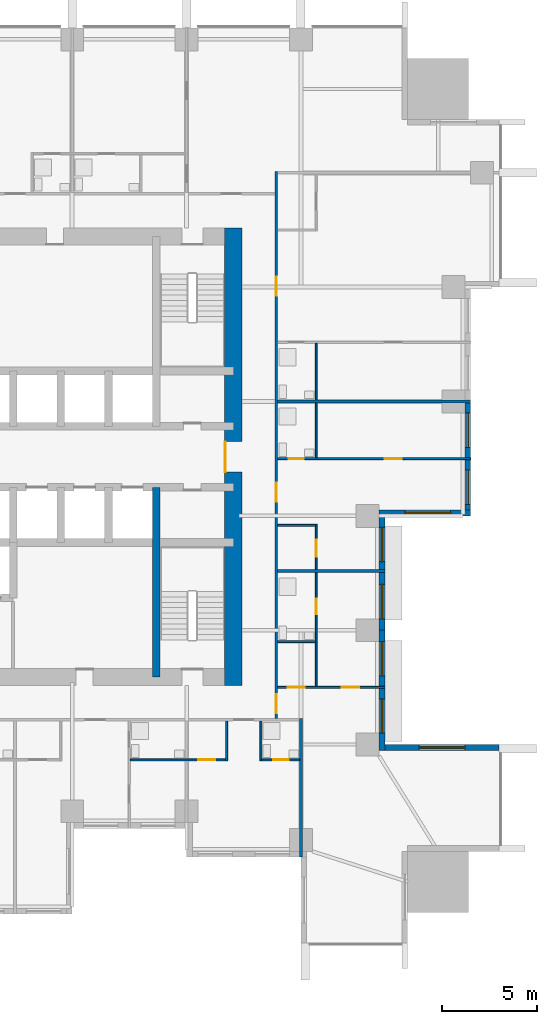
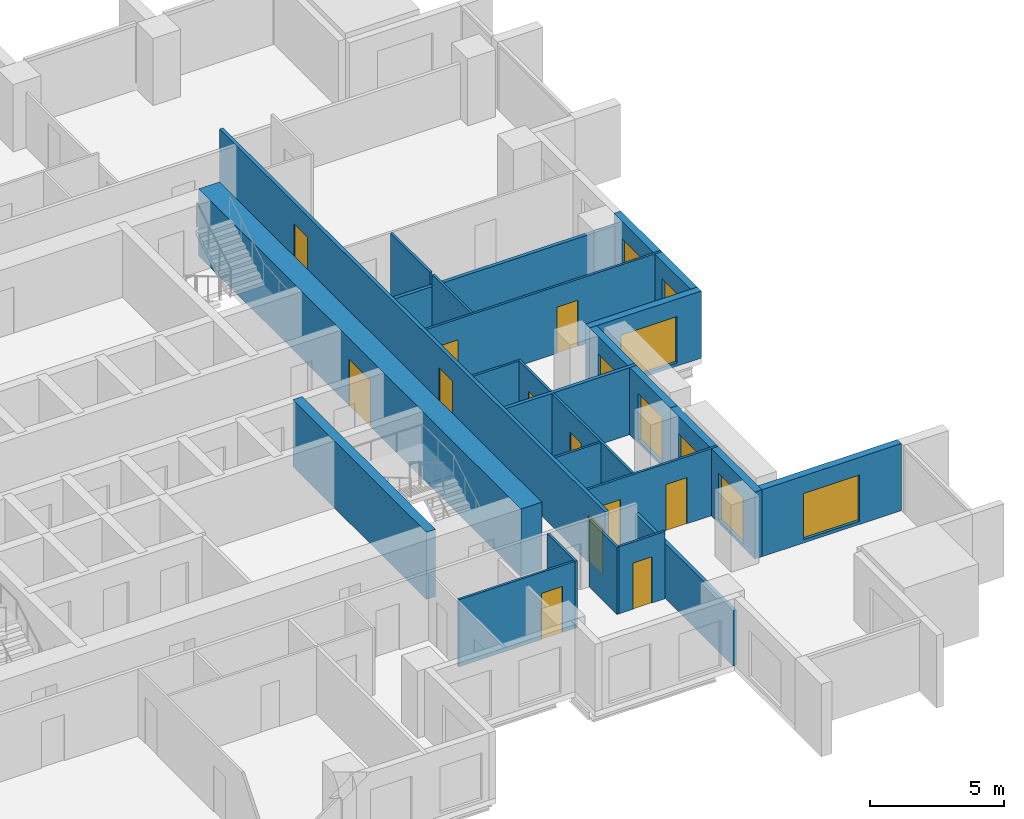
# One storey, part 6 of 10: 22 walls, 12 doors, 8 windows, 20 openings.
"""IFC4 building model written with IfcOpenShell, lengths in metres."""

from ifc_helpers import new_model, si_unit, direction, frame, frame_2d, origin, place, context, subcontext, project, spatial, rectangle, extrude, material, layer, layer_set, type_object, element, fill, save


model = new_model("IFC4")

# Units and contexts
model_context = context("Model", 3, precision=1e-05, world=origin(), true_north=direction((0.0, 1.0)))
body_context = subcontext(model_context, "Body", "Model", "MODEL_VIEW")
ifc_project = project(units=[si_unit("LENGTHUNIT", "METRE"), si_unit("AREAUNIT", "SQUARE_METRE"), si_unit("VOLUMEUNIT", "CUBIC_METRE"), si_unit("PLANEANGLEUNIT", "RADIAN"), si_unit("MASSUNIT", "GRAM", prefix="KILO")], contexts=[model_context])

# Site, building, storey
site_placement = place(None, origin())
site = spatial("IfcSite", under=ifc_project, at=site_placement, CompositionType="ELEMENT")
building_placement = place(site_placement, origin())
building = spatial("IfcBuilding", under=site, at=building_placement, Name="Amberfall Residences", CompositionType="ELEMENT")
storey_placement = place(building_placement, frame((0.0, 0.0, 26.800048828125)))
storey = spatial("IfcBuildingStorey", under=building, at=storey_placement, Name="L06", CompositionType="ELEMENT", Elevation=26.800048828125)

# Wall, opening, window
ifc_material_1 = material(Name="Pale stone cladding on insulated backing", Category="masonry")
ifc_layer_1 = layer(ifc_material_1, 0.300048828125)
ifc_layer_set_1 = layer_set([ifc_layer_1], Name="Bronze clad wall 300")
wall_type_1 = type_object("IfcWallType", Name="Bronze clad wall 300", PredefinedType="SOLIDWALL", material=ifc_layer_set_1)
wall_1_placement = place(storey_placement, frame((100.0, 30.25, 0.0), z_axis=(0.0, 0.0, 1.0), x_axis=(-1.0, 0.0, 0.0)))
wall_1 = element("IfcWall", 1, at=wall_1_placement, inside=storey, type_object=wall_type_1, Name="External wall L06 E", PredefinedType="SOLIDWALL", context=body_context, shape_type="SweptSolid", body=[
    extrude(rectangle(XDim=6.0, YDim=0.300048828125, at=frame_2d((3.0, 0.0))), origin(), (0.0, 0.0, 1.0), 3.050048828125),
])
opening_1_placement = place(wall_1_placement, frame((1.800048828125, 0.0, 0.14990234375)))
opening_1 = element("IfcOpeningElement", 2, at=opening_1_placement, cuts=wall_1, Name="Opening WN5", PredefinedType="OPENING", context=body_context, shape_type="SweptSolid", body=[
    extrude(rectangle(XDim=2.39990234375, YDim=2.10009765625, at=frame_2d((1.199951171875, 1.050048828125))), frame((0.0, 0.159912109375, 0.0), z_axis=(0.0, -1.0, 0.0), x_axis=(1.0, 0.0, 0.0)), (0.0, 0.0, 1.0), 0.320068359375),
])
ifc_material_2 = material(Name="Bronze aluminium framed glazing", Category="aluminium")
window_type_1 = type_object("IfcWindowType", Name="Glazed opening 2400 x 2100 bronze", PartitioningType="DOUBLE_PANEL_VERTICAL", PredefinedType="WINDOW", material=ifc_material_2)
window_1_placement = place(opening_1_placement, origin())
window_1 = element("IfcWindow", 3, at=window_1_placement, inside=storey, type_object=window_type_1, Name="Window L06 E", OverallHeight=2.10009765625, OverallWidth=2.39990234375, PartitioningType="DOUBLE_PANEL_VERTICAL", PredefinedType="WINDOW", context=body_context, shape_type="SweptSolid", body=[
    extrude(rectangle(XDim=2.39990234375, YDim=2.10009765625, at=frame_2d((1.199951171875, 1.050048828125))), frame((0.0, 0.030029296875, 0.0), z_axis=(0.0, -1.0, 0.0), x_axis=(1.0, 0.0, 0.0)), (0.0, 0.0, 1.0), 0.06005859375),
])
fill(opening_1, window_1)

wall_2_placement = place(storey_placement, frame((93.699951171875, 42.550048828125, 0.0), z_axis=(0.0, 0.0, 1.0), x_axis=(1.0, 0.0, 0.0)))
wall_2 = element("IfcWall", 4, at=wall_2_placement, inside=storey, type_object=wall_type_1, Name="External wall L06 E", PredefinedType="SOLIDWALL", context=body_context, shape_type="SweptSolid", body=[
    extrude(rectangle(XDim=4.800048828125, YDim=0.300048828125, at=frame_2d((2.39990234375, 0.0))), origin(), (0.0, 0.0, 1.0), 3.050048828125),
])
opening_2_placement = place(wall_2_placement, frame((1.35009765625, 0.0, 0.14990234375)))
opening_2 = element("IfcOpeningElement", 5, at=opening_2_placement, cuts=wall_2, Name="Opening WN5", PredefinedType="OPENING", context=body_context, shape_type="SweptSolid", body=[
    extrude(rectangle(XDim=2.39990234375, YDim=2.10009765625, at=frame_2d((1.199951171875, 1.050048828125))), frame((0.0, 0.159912109375, 0.0), z_axis=(0.0, -1.0, 0.0), x_axis=(1.0, 0.0, 0.0)), (0.0, 0.0, 1.0), 0.320068359375),
])
window_2_placement = place(opening_2_placement, origin())
window_2 = element("IfcWindow", 6, at=window_2_placement, inside=storey, type_object=window_type_1, Name="Window L06 E", OverallHeight=2.10009765625, OverallWidth=2.39990234375, PartitioningType="DOUBLE_PANEL_VERTICAL", PredefinedType="WINDOW", context=body_context, shape_type="SweptSolid", body=[
    extrude(rectangle(XDim=2.39990234375, YDim=2.10009765625, at=frame_2d((1.199951171875, 1.050048828125))), frame((0.0, 0.030029296875, 0.0), z_axis=(0.0, -1.0, 0.0), x_axis=(1.0, 0.0, 0.0)), (0.0, 0.0, 1.0), 0.06005859375),
])
fill(opening_2, window_2)

# Wall, openings, windows
wall_3_placement = place(storey_placement, frame((93.85009765625, 30.10009765625, 0.0), z_axis=(0.0, 0.0, 1.0), x_axis=(0.0, 1.0, 0.0)))
wall_3 = element("IfcWall", 7, at=wall_3_placement, inside=storey, type_object=wall_type_1, Name="Stone wall L06 E", PredefinedType="SOLIDWALL", context=body_context, shape_type="SweptSolid", body=[
    extrude(rectangle(XDim=6.2998046875, YDim=0.300048828125, at=frame_2d((3.14990234375, 0.0))), origin(), (0.0, 0.0, 1.0), 3.050048828125),
])
opening_3_placement = place(wall_3_placement, frame((0.89990234375, 0.0, 0.14990234375)))
opening_3 = element("IfcOpeningElement", 8, at=opening_3_placement, cuts=wall_3, Name="Opening WN6", PredefinedType="OPENING", context=body_context, shape_type="SweptSolid", body=[
    extrude(rectangle(XDim=1.800048828125, YDim=2.10009765625, at=frame_2d((0.89990234375, 1.050048828125))), frame((0.0, 0.159912109375, 0.0), z_axis=(0.0, -1.0, 0.0), x_axis=(1.0, 0.0, 0.0)), (0.0, 0.0, 1.0), 0.320068359375),
])
opening_4_placement = place(wall_3_placement, frame((3.89990234375, 0.0, 0.14990234375)))
opening_4 = element("IfcOpeningElement", 9, at=opening_4_placement, cuts=wall_3, Name="Opening WN6", PredefinedType="OPENING", context=body_context, shape_type="SweptSolid", body=[
    extrude(rectangle(XDim=1.800048828125, YDim=2.10009765625, at=frame_2d((0.89990234375, 1.050048828125))), frame((0.0, 0.159912109375, 0.0), z_axis=(0.0, -1.0, 0.0), x_axis=(1.0, 0.0, 0.0)), (0.0, 0.0, 1.0), 0.320068359375),
])
window_type_2 = type_object("IfcWindowType", Name="Glazed opening 1800 x 2100 bronze", PartitioningType="DOUBLE_PANEL_VERTICAL", PredefinedType="WINDOW", material=ifc_material_2)
window_3_placement = place(opening_3_placement, origin())
window_3 = element("IfcWindow", 10, at=window_3_placement, inside=storey, type_object=window_type_2, Name="Window L06 E", OverallHeight=2.10009765625, OverallWidth=1.800048828125, PartitioningType="DOUBLE_PANEL_VERTICAL", PredefinedType="WINDOW", context=body_context, shape_type="SweptSolid", body=[
    extrude(rectangle(XDim=1.800048828125, YDim=2.10009765625, at=frame_2d((0.89990234375, 1.050048828125))), frame((0.0, 0.030029296875, 0.0), z_axis=(0.0, -1.0, 0.0), x_axis=(1.0, 0.0, 0.0)), (0.0, 0.0, 1.0), 0.06005859375),
])
fill(opening_3, window_3)
window_4_placement = place(opening_4_placement, origin())
window_4 = element("IfcWindow", 11, at=window_4_placement, inside=storey, type_object=window_type_2, Name="Window L06 E", OverallHeight=2.10009765625, OverallWidth=1.800048828125, PartitioningType="DOUBLE_PANEL_VERTICAL", PredefinedType="WINDOW", context=body_context, shape_type="SweptSolid", body=[
    extrude(rectangle(XDim=1.800048828125, YDim=2.10009765625, at=frame_2d((0.89990234375, 1.050048828125))), frame((0.0, 0.030029296875, 0.0), z_axis=(0.0, -1.0, 0.0), x_axis=(1.0, 0.0, 0.0)), (0.0, 0.0, 1.0), 0.06005859375),
])
fill(opening_4, window_4)

wall_4_placement = place(storey_placement, frame((93.85009765625, 36.39990234375, 0.0), z_axis=(0.0, 0.0, 1.0), x_axis=(0.0, 1.0, 0.0)))
wall_4 = element("IfcWall", 12, at=wall_4_placement, inside=storey, type_object=wall_type_1, Name="Stone wall L06 E", PredefinedType="SOLIDWALL", context=body_context, shape_type="SweptSolid", body=[
    extrude(rectangle(XDim=6.0, YDim=0.300048828125, at=frame_2d((3.0, 0.0))), origin(), (0.0, 0.0, 1.0), 3.050048828125),
])
opening_5_placement = place(wall_4_placement, frame((0.60009765625, 0.0, 0.14990234375)))
opening_5 = element("IfcOpeningElement", 13, at=opening_5_placement, cuts=wall_4, Name="Opening WN6", PredefinedType="OPENING", context=body_context, shape_type="SweptSolid", body=[
    extrude(rectangle(XDim=1.800048828125, YDim=2.10009765625, at=frame_2d((0.89990234375, 1.050048828125))), frame((0.0, 0.159912109375, 0.0), z_axis=(0.0, -1.0, 0.0), x_axis=(1.0, 0.0, 0.0)), (0.0, 0.0, 1.0), 0.320068359375),
])
opening_6_placement = place(wall_4_placement, frame((3.60009765625, 0.0, 0.14990234375)))
opening_6 = element("IfcOpeningElement", 14, at=opening_6_placement, cuts=wall_4, Name="Opening WN6", PredefinedType="OPENING", context=body_context, shape_type="SweptSolid", body=[
    extrude(rectangle(XDim=1.800048828125, YDim=2.10009765625, at=frame_2d((0.89990234375, 1.050048828125))), frame((0.0, 0.159912109375, 0.0), z_axis=(0.0, -1.0, 0.0), x_axis=(1.0, 0.0, 0.0)), (0.0, 0.0, 1.0), 0.320068359375),
])
window_5_placement = place(opening_5_placement, origin())
window_5 = element("IfcWindow", 15, at=window_5_placement, inside=storey, type_object=window_type_2, Name="Window L06 E", OverallHeight=2.10009765625, OverallWidth=1.800048828125, PartitioningType="DOUBLE_PANEL_VERTICAL", PredefinedType="WINDOW", context=body_context, shape_type="SweptSolid", body=[
    extrude(rectangle(XDim=1.800048828125, YDim=2.10009765625, at=frame_2d((0.89990234375, 1.050048828125))), frame((0.0, 0.030029296875, 0.0), z_axis=(0.0, -1.0, 0.0), x_axis=(1.0, 0.0, 0.0)), (0.0, 0.0, 1.0), 0.06005859375),
])
fill(opening_5, window_5)
window_6_placement = place(opening_6_placement, origin())
window_6 = element("IfcWindow", 16, at=window_6_placement, inside=storey, type_object=window_type_2, Name="Window L06 E", OverallHeight=2.10009765625, OverallWidth=1.800048828125, PartitioningType="DOUBLE_PANEL_VERTICAL", PredefinedType="WINDOW", context=body_context, shape_type="SweptSolid", body=[
    extrude(rectangle(XDim=1.800048828125, YDim=2.10009765625, at=frame_2d((0.89990234375, 1.050048828125))), frame((0.0, 0.030029296875, 0.0), z_axis=(0.0, -1.0, 0.0), x_axis=(1.0, 0.0, 0.0)), (0.0, 0.0, 1.0), 0.06005859375),
])
fill(opening_6, window_6)

wall_5_placement = place(storey_placement, frame((98.35009765625, 42.699951171875, 0.0), z_axis=(0.0, 0.0, 1.0), x_axis=(0.0, 1.0, 0.0)))
wall_5 = element("IfcWall", 17, at=wall_5_placement, inside=storey, type_object=wall_type_1, Name="Stone wall L06 E", PredefinedType="SOLIDWALL", context=body_context, shape_type="SweptSolid", body=[
    extrude(rectangle(XDim=5.699951171875, YDim=0.300048828125, at=frame_2d((2.85009765625, 0.0))), origin(), (0.0, 0.0, 1.0), 3.050048828125),
])
opening_7_placement = place(wall_5_placement, frame((0.300048828125, 0.0, 0.14990234375)))
opening_7 = element("IfcOpeningElement", 18, at=opening_7_placement, cuts=wall_5, Name="Opening WN6", PredefinedType="OPENING", context=body_context, shape_type="SweptSolid", body=[
    extrude(rectangle(XDim=1.800048828125, YDim=2.10009765625, at=frame_2d((0.89990234375, 1.050048828125))), frame((0.0, 0.159912109375, 0.0), z_axis=(0.0, -1.0, 0.0), x_axis=(1.0, 0.0, 0.0)), (0.0, 0.0, 1.0), 0.320068359375),
])
opening_8_placement = place(wall_5_placement, frame((3.300048828125, 0.0, 0.14990234375)))
opening_8 = element("IfcOpeningElement", 19, at=opening_8_placement, cuts=wall_5, Name="Opening WN6", PredefinedType="OPENING", context=body_context, shape_type="SweptSolid", body=[
    extrude(rectangle(XDim=1.800048828125, YDim=2.10009765625, at=frame_2d((0.89990234375, 1.050048828125))), frame((0.0, 0.159912109375, 0.0), z_axis=(0.0, -1.0, 0.0), x_axis=(1.0, 0.0, 0.0)), (0.0, 0.0, 1.0), 0.320068359375),
])
window_7_placement = place(opening_7_placement, origin())
window_7 = element("IfcWindow", 20, at=window_7_placement, inside=storey, type_object=window_type_2, Name="Window L06 E", OverallHeight=2.10009765625, OverallWidth=1.800048828125, PartitioningType="DOUBLE_PANEL_VERTICAL", PredefinedType="WINDOW", context=body_context, shape_type="SweptSolid", body=[
    extrude(rectangle(XDim=1.800048828125, YDim=2.10009765625, at=frame_2d((0.89990234375, 1.050048828125))), frame((0.0, 0.030029296875, 0.0), z_axis=(0.0, -1.0, 0.0), x_axis=(1.0, 0.0, 0.0)), (0.0, 0.0, 1.0), 0.06005859375),
])
fill(opening_7, window_7)
window_8_placement = place(opening_8_placement, origin())
window_8 = element("IfcWindow", 21, at=window_8_placement, inside=storey, type_object=window_type_2, Name="Window L06 E", OverallHeight=2.10009765625, OverallWidth=1.800048828125, PartitioningType="DOUBLE_PANEL_VERTICAL", PredefinedType="WINDOW", context=body_context, shape_type="SweptSolid", body=[
    extrude(rectangle(XDim=1.800048828125, YDim=2.10009765625, at=frame_2d((0.89990234375, 1.050048828125))), frame((0.0, 0.030029296875, 0.0), z_axis=(0.0, -1.0, 0.0), x_axis=(1.0, 0.0, 0.0)), (0.0, 0.0, 1.0), 0.06005859375),
])
fill(opening_8, window_8)

# Wall
ifc_material_3 = material(Name="Concrete C80", Category="concrete")
ifc_layer_2 = layer(ifc_material_3, 0.39990234375)
ifc_layer_set_2 = layer_set([ifc_layer_2], Name="Core wall 400 C80")
wall_type_2 = type_object("IfcWallType", Name="Core wall 400 C80", PredefinedType="SHEAR", material=ifc_layer_set_2)
wall_6_placement = place(storey_placement, frame((82.0, 33.949951171875, 0.0), z_axis=(0.0, 0.0, 1.0), x_axis=(0.0, 1.0, 0.0)))
element("IfcWall", 22, at=wall_6_placement, inside=storey, type_object=wall_type_2, Name="Core wall RW2 L06 V195S", PredefinedType="SHEAR", context=body_context, shape_type="SweptSolid", body=[
    extrude(rectangle(XDim=9.949951171875, YDim=0.39990234375, at=frame_2d((4.97509765625, 0.0))), origin(), (0.0, 0.0, 1.0), 3.050048828125),
])

# Wall, opening, door
ifc_layer_3 = layer(ifc_material_3, 0.89990234375)
ifc_layer_set_3 = layer_set([ifc_layer_3], Name="Core wall 900 C80")
wall_type_3 = type_object("IfcWallType", Name="Core wall 900 C80", PredefinedType="SHEAR", material=ifc_layer_set_3)
wall_7_placement = place(storey_placement, frame((86.050048828125, 33.5, 0.0), z_axis=(0.0, 0.0, 1.0), x_axis=(0.0, 1.0, 0.0)))
wall_7 = element("IfcWall", 23, at=wall_7_placement, inside=storey, type_object=wall_type_3, Name="Core wall RW1 L06 OE", PredefinedType="SHEAR", context=body_context, shape_type="SweptSolid", body=[
    extrude(rectangle(XDim=24.0, YDim=0.89990234375, at=frame_2d((12.0, 0.0))), origin(), (0.0, 0.0, 1.0), 3.050048828125),
])
opening_9_placement = place(wall_7_placement, frame((11.199951171875, 0.0, 0.0)))
opening_9 = element("IfcOpeningElement", 24, at=opening_9_placement, cuts=wall_7, Name="Opening LB1", PredefinedType="OPENING", context=body_context, shape_type="SweptSolid", body=[
    extrude(rectangle(XDim=1.60009765625, YDim=2.10009765625, at=frame_2d((0.800048828125, 1.050048828125))), frame((0.0, 0.4599609375, 0.0), z_axis=(0.0, -1.0, 0.0), x_axis=(1.0, 0.0, 0.0)), (0.0, 0.0, 1.0), 0.919921875),
])
ifc_material_4 = material(Name="Steel fire door set", Category="steel")
door_type_1 = type_object("IfcDoorType", Name="Lift lobby double door 1600 x 2100", OperationType="DOUBLE_DOOR_SINGLE_SWING", PredefinedType="DOOR", material=ifc_material_4)
door_1_placement = place(opening_9_placement, origin())
door_1 = element("IfcDoor", 25, at=door_1_placement, inside=storey, type_object=door_type_1, Name="LB1 L06", OperationType="DOUBLE_DOOR_SINGLE_SWING", OverallHeight=2.10009765625, OverallWidth=1.60009765625, PredefinedType="DOOR", context=body_context, shape_type="SweptSolid", body=[
    extrude(rectangle(XDim=1.60009765625, YDim=2.10009765625, at=frame_2d((0.800048828125, 1.050048828125))), frame((0.0, 0.4375, 0.0), z_axis=(0.0, -1.0, 0.0), x_axis=(1.0, 0.0, 0.0)), (0.0, 0.0, 1.0), 0.050048828125),
])
fill(opening_9, door_1)

# Walls
ifc_material_5 = material(Name="Gypsum board on metal stud")
ifc_layer_4 = layer(ifc_material_5, 0.10009765625)
ifc_layer_set_4 = layer_set([ifc_layer_4], Name="Flat partition 100")
wall_type_4 = type_object("IfcWallType", Name="Flat partition 100", PredefinedType="PARTITIONING", material=ifc_layer_set_4)
for number, where, z_axis, x_axis, name in (
    (26, (85.699951171875, 29.550048828125, 0.0), (0.0, 0.0, 1.0), (0.0, 1.0, 0.0), "Partition 017"),
    (27, (87.5, 29.550048828125, 0.0), (0.0, 0.0, 1.0), (0.0, 1.0, 0.0), "Partition 018"),
):
    element("IfcWall", number, at=place(storey_placement, frame(where, z_axis=z_axis, x_axis=x_axis)), inside=storey, type_object=wall_type_4, Name=name, PredefinedType="PARTITIONING", context=body_context, shape_type="SweptSolid", body=[
        extrude(rectangle(XDim=2.074951171875, YDim=0.10009765625, at=frame_2d((1.03759765625, 0.0))), origin(), (0.0, 0.0, 1.0), 3.050048828125),
    ])

# Wall, openings, doors
wall_8_placement = place(storey_placement, frame((90.39990234375, 33.449951171875, 0.0), z_axis=(0.0, 0.0, 1.0), x_axis=(0.0, 1.0, 0.0)))
wall_8 = element("IfcWall", 28, at=wall_8_placement, inside=storey, type_object=wall_type_4, Name="Partition 019", PredefinedType="PARTITIONING", context=body_context, shape_type="SweptSolid", body=[
    extrude(rectangle(XDim=8.5, YDim=0.10009765625, at=frame_2d((4.25, 0.0))), origin(), (0.0, 0.0, 1.0), 3.050048828125),
])
opening_10_placement = place(wall_8_placement, frame((3.800048828125, 0.0, 0.0)))
opening_10 = element("IfcOpeningElement", 29, at=opening_10_placement, cuts=wall_8, Name="Opening D42", PredefinedType="OPENING", context=body_context, shape_type="SweptSolid", body=[
    extrude(rectangle(XDim=0.800048828125, YDim=2.10009765625, at=frame_2d((0.39990234375, 1.050048828125))), frame((0.0, 0.06005859375, 0.0), z_axis=(0.0, -1.0, 0.0), x_axis=(1.0, 0.0, 0.0)), (0.0, 0.0, 1.0), 0.1201171875),
])
opening_11_placement = place(wall_8_placement, frame((6.800048828125, 0.0, 0.0)))
opening_11 = element("IfcOpeningElement", 30, at=opening_11_placement, cuts=wall_8, Name="Opening D41", PredefinedType="OPENING", context=body_context, shape_type="SweptSolid", body=[
    extrude(rectangle(XDim=0.89990234375, YDim=2.10009765625, at=frame_2d((0.449951171875, 1.050048828125))), frame((0.0, 0.06005859375, 0.0), z_axis=(0.0, -1.0, 0.0), x_axis=(1.0, 0.0, 0.0)), (0.0, 0.0, 1.0), 0.1201171875),
])
ifc_material_6 = material(Name="Timber", Category="wood")
door_type_2 = type_object("IfcDoorType", Name="Bathroom door 800 x 2100", OperationType="SINGLE_SWING_LEFT", PredefinedType="DOOR", material=ifc_material_6)
door_2_placement = place(opening_10_placement, origin())
door_2 = element("IfcDoor", 31, at=door_2_placement, inside=storey, type_object=door_type_2, Name="Door 0604 bath1", OperationType="SINGLE_SWING_LEFT", OverallHeight=2.10009765625, OverallWidth=0.800048828125, PredefinedType="DOOR", context=body_context, shape_type="SweptSolid", body=[
    extrude(rectangle(XDim=0.800048828125, YDim=2.10009765625, at=frame_2d((0.39990234375, 1.050048828125))), frame((0.0, 0.02490234375, 0.0), z_axis=(0.0, -1.0, 0.0), x_axis=(1.0, 0.0, 0.0)), (0.0, 0.0, 1.0), 0.050048828125),
])
fill(opening_10, door_2)
door_type_3 = type_object("IfcDoorType", Name="Internal door 900 x 2100", OperationType="SINGLE_SWING_LEFT", PredefinedType="DOOR", material=ifc_material_6)
door_3_placement = place(opening_11_placement, origin())
door_3 = element("IfcDoor", 32, at=door_3_placement, inside=storey, type_object=door_type_3, Name="Door 0605 kitchen", OperationType="SINGLE_SWING_LEFT", OverallHeight=2.10009765625, OverallWidth=0.89990234375, PredefinedType="DOOR", context=body_context, shape_type="SweptSolid", body=[
    extrude(rectangle(XDim=0.89990234375, YDim=2.10009765625, at=frame_2d((0.449951171875, 1.050048828125))), frame((0.0, 0.02490234375, 0.0), z_axis=(0.0, -1.0, 0.0), x_axis=(1.0, 0.0, 0.0)), (0.0, 0.0, 1.0), 0.050048828125),
])
fill(opening_11, door_3)

# Walls
wall_9_placement = place(storey_placement, frame((90.39990234375, 45.449951171875, 0.0), z_axis=(0.0, 0.0, 1.0), x_axis=(0.0, 1.0, 0.0)))
element("IfcWall", 33, at=wall_9_placement, inside=storey, type_object=wall_type_4, Name="Partition 020", PredefinedType="PARTITIONING", context=body_context, shape_type="SweptSolid", body=[
    extrude(rectangle(XDim=2.875, YDim=0.10009765625, at=frame_2d((1.4375, 0.0))), origin(), (0.0, 0.0, 1.0), 3.050048828125),
])
wall_10_placement = place(storey_placement, frame((90.39990234375, 48.5, 0.0), z_axis=(0.0, 0.0, 1.0), x_axis=(0.0, 1.0, 0.0)))
element("IfcWall", 34, at=wall_10_placement, inside=storey, type_object=wall_type_4, Name="Partition 021", PredefinedType="PARTITIONING", context=body_context, shape_type="SweptSolid", body=[
    extrude(rectangle(XDim=2.949951171875, YDim=0.10009765625, at=frame_2d((1.47509765625, 0.0))), origin(), (0.0, 0.0, 1.0), 3.050048828125),
])

# Wall, openings, doors
wall_11_placement = place(storey_placement, frame((88.375, 45.39990234375, 0.0), z_axis=(0.0, 0.0, 1.0), x_axis=(1.0, 0.0, 0.0)))
wall_11 = element("IfcWall", 35, at=wall_11_placement, inside=storey, type_object=wall_type_4, Name="Partition 032", PredefinedType="PARTITIONING", context=body_context, shape_type="SweptSolid", body=[
    extrude(rectangle(XDim=10.125, YDim=0.10009765625, at=frame_2d((5.0625, 0.0))), origin(), (0.0, 0.0, 1.0), 3.050048828125),
])
opening_12_placement = place(wall_11_placement, frame((5.625, 0.0, 0.0)))
opening_12 = element("IfcOpeningElement", 36, at=opening_12_placement, cuts=wall_11, Name="Opening D41", PredefinedType="OPENING", context=body_context, shape_type="SweptSolid", body=[
    extrude(rectangle(XDim=0.89990234375, YDim=2.10009765625, at=frame_2d((0.449951171875, 1.050048828125))), frame((0.0, 0.06005859375, 0.0), z_axis=(0.0, -1.0, 0.0), x_axis=(1.0, 0.0, 0.0)), (0.0, 0.0, 1.0), 0.1201171875),
])
opening_13_placement = place(wall_11_placement, frame((0.574951171875, 0.0, 0.0)))
opening_13 = element("IfcOpeningElement", 37, at=opening_13_placement, cuts=wall_11, Name="Opening D42", PredefinedType="OPENING", context=body_context, shape_type="SweptSolid", body=[
    extrude(rectangle(XDim=0.800048828125, YDim=2.10009765625, at=frame_2d((0.39990234375, 1.050048828125))), frame((0.0, 0.06005859375, 0.0), z_axis=(0.0, -1.0, 0.0), x_axis=(1.0, 0.0, 0.0)), (0.0, 0.0, 1.0), 0.1201171875),
])
door_4_placement = place(opening_13_placement, origin())
door_4 = element("IfcDoor", 38, at=door_4_placement, inside=storey, type_object=door_type_2, Name="Door 0605 bath1", OperationType="SINGLE_SWING_LEFT", OverallHeight=2.10009765625, OverallWidth=0.800048828125, PredefinedType="DOOR", context=body_context, shape_type="SweptSolid", body=[
    extrude(rectangle(XDim=0.800048828125, YDim=2.10009765625, at=frame_2d((0.39990234375, 1.050048828125))), frame((0.0, 0.02490234375, 0.0), z_axis=(0.0, -1.0, 0.0), x_axis=(1.0, 0.0, 0.0)), (0.0, 0.0, 1.0), 0.050048828125),
])
fill(opening_13, door_4)
door_5_placement = place(opening_12_placement, origin())
door_5 = element("IfcDoor", 39, at=door_5_placement, inside=storey, type_object=door_type_3, Name="Door 0605 bedroom1", OperationType="SINGLE_SWING_LEFT", OverallHeight=2.10009765625, OverallWidth=0.89990234375, PredefinedType="DOOR", context=body_context, shape_type="SweptSolid", body=[
    extrude(rectangle(XDim=0.89990234375, YDim=2.10009765625, at=frame_2d((0.449951171875, 1.050048828125))), frame((0.0, 0.02490234375, 0.0), z_axis=(0.0, -1.0, 0.0), x_axis=(1.0, 0.0, 0.0)), (0.0, 0.0, 1.0), 0.050048828125),
])
fill(opening_12, door_5)

# Walls
for number, where, z_axis, x_axis, name in (
    (40, (88.375, 41.89990234375, 0.0), (0.0, 0.0, 1.0), (1.0, 0.0, 0.0), "Partition 034"),
    (41, (88.375, 35.800048828125, 0.0), (0.0, 0.0, 1.0), (1.0, 0.0, 0.0), "Partition 037"),
):
    element("IfcWall", number, at=place(storey_placement, frame(where, z_axis=z_axis, x_axis=x_axis)), inside=storey, type_object=wall_type_4, Name=name, PredefinedType="PARTITIONING", context=body_context, shape_type="SweptSolid", body=[
        extrude(rectangle(XDim=1.97509765625, YDim=0.10009765625, at=frame_2d((0.987548828125, 0.0))), origin(), (0.0, 0.0, 1.0), 3.050048828125),
    ])

# Wall, openings, doors
wall_12_placement = place(storey_placement, frame((88.375, 33.39990234375, 0.0), z_axis=(0.0, 0.0, 1.0), x_axis=(1.0, 0.0, 0.0)))
wall_12 = element("IfcWall", 42, at=wall_12_placement, inside=storey, type_object=wall_type_4, Name="Partition 039", PredefinedType="PARTITIONING", context=body_context, shape_type="SweptSolid", body=[
    extrude(rectangle(XDim=5.625, YDim=0.10009765625, at=frame_2d((2.8125, 0.0))), origin(), (0.0, 0.0, 1.0), 3.050048828125),
])
opening_14_placement = place(wall_12_placement, frame((0.52490234375, 0.0, 0.0)))
opening_14 = element("IfcOpeningElement", 43, at=opening_14_placement, cuts=wall_12, Name="Opening D41", PredefinedType="OPENING", context=body_context, shape_type="SweptSolid", body=[
    extrude(rectangle(XDim=0.89990234375, YDim=2.10009765625, at=frame_2d((0.449951171875, 1.050048828125))), frame((0.0, 0.06005859375, 0.0), z_axis=(0.0, -1.0, 0.0), x_axis=(1.0, 0.0, 0.0)), (0.0, 0.0, 1.0), 0.1201171875),
])
opening_15_placement = place(wall_12_placement, frame((3.375, 0.0, 0.0)))
opening_15 = element("IfcOpeningElement", 44, at=opening_15_placement, cuts=wall_12, Name="Opening D41", PredefinedType="OPENING", context=body_context, shape_type="SweptSolid", body=[
    extrude(rectangle(XDim=0.89990234375, YDim=2.10009765625, at=frame_2d((0.449951171875, 1.050048828125))), frame((0.0, 0.06005859375, 0.0), z_axis=(0.0, -1.0, 0.0), x_axis=(1.0, 0.0, 0.0)), (0.0, 0.0, 1.0), 0.1201171875),
])
door_6_placement = place(opening_14_placement, origin())
door_6 = element("IfcDoor", 45, at=door_6_placement, inside=storey, type_object=door_type_3, Name="Door 0604 kitchen", OperationType="SINGLE_SWING_LEFT", OverallHeight=2.10009765625, OverallWidth=0.89990234375, PredefinedType="DOOR", context=body_context, shape_type="SweptSolid", body=[
    extrude(rectangle(XDim=0.89990234375, YDim=2.10009765625, at=frame_2d((0.449951171875, 1.050048828125))), frame((0.0, 0.02490234375, 0.0), z_axis=(0.0, -1.0, 0.0), x_axis=(1.0, 0.0, 0.0)), (0.0, 0.0, 1.0), 0.050048828125),
])
fill(opening_14, door_6)
door_7_placement = place(opening_15_placement, origin())
door_7 = element("IfcDoor", 46, at=door_7_placement, inside=storey, type_object=door_type_3, Name="Door 0604 bedroom1", OperationType="SINGLE_SWING_LEFT", OverallHeight=2.10009765625, OverallWidth=0.89990234375, PredefinedType="DOOR", context=body_context, shape_type="SweptSolid", body=[
    extrude(rectangle(XDim=0.89990234375, YDim=2.10009765625, at=frame_2d((0.449951171875, 1.050048828125))), frame((0.0, 0.02490234375, 0.0), z_axis=(0.0, -1.0, 0.0), x_axis=(1.0, 0.0, 0.0)), (0.0, 0.0, 1.0), 0.050048828125),
])
fill(opening_15, door_7)

# Wall, opening, door
wall_13_placement = place(storey_placement, frame((80.64990234375, 29.60009765625, 0.0), z_axis=(0.0, 0.0, 1.0), x_axis=(1.0, 0.0, 0.0)))
wall_13 = element("IfcWall", 47, at=wall_13_placement, inside=storey, type_object=wall_type_4, Name="Partition 042", PredefinedType="PARTITIONING", context=body_context, shape_type="SweptSolid", body=[
    extrude(rectangle(XDim=5.0, YDim=0.10009765625, at=frame_2d((2.5, 0.0))), origin(), (0.0, 0.0, 1.0), 3.050048828125),
])
opening_16_placement = place(wall_13_placement, frame((3.550048828125, 0.0, 0.0)))
opening_16 = element("IfcOpeningElement", 48, at=opening_16_placement, cuts=wall_13, Name="Opening D41", PredefinedType="OPENING", context=body_context, shape_type="SweptSolid", body=[
    extrude(rectangle(XDim=0.89990234375, YDim=2.10009765625, at=frame_2d((0.449951171875, 1.050048828125))), frame((0.0, 0.06005859375, 0.0), z_axis=(0.0, -1.0, 0.0), x_axis=(1.0, 0.0, 0.0)), (0.0, 0.0, 1.0), 0.1201171875),
])
door_8_placement = place(opening_16_placement, origin())
door_8 = element("IfcDoor", 49, at=door_8_placement, inside=storey, type_object=door_type_3, Name="Door 0603 kitchen", OperationType="SINGLE_SWING_LEFT", OverallHeight=2.10009765625, OverallWidth=0.89990234375, PredefinedType="DOOR", context=body_context, shape_type="SweptSolid", body=[
    extrude(rectangle(XDim=0.89990234375, YDim=2.10009765625, at=frame_2d((0.449951171875, 1.050048828125))), frame((0.0, 0.02490234375, 0.0), z_axis=(0.0, -1.0, 0.0), x_axis=(1.0, 0.0, 0.0)), (0.0, 0.0, 1.0), 0.050048828125),
])
fill(opening_16, door_8)

wall_14_placement = place(storey_placement, frame((87.550048828125, 29.60009765625, 0.0), z_axis=(0.0, 0.0, 1.0), x_axis=(1.0, 0.0, 0.0)))
wall_14 = element("IfcWall", 50, at=wall_14_placement, inside=storey, type_object=wall_type_4, Name="Partition 043", PredefinedType="PARTITIONING", context=body_context, shape_type="SweptSolid", body=[
    extrude(rectangle(XDim=1.974853515625, YDim=0.10009765625, at=frame_2d((0.9873046875, 0.0))), origin(), (0.0, 0.0, 1.0), 3.050048828125),
])
opening_17_placement = place(wall_14_placement, frame((0.60009765625, 0.0, 0.0)))
opening_17 = element("IfcOpeningElement", 51, at=opening_17_placement, cuts=wall_14, Name="Opening D42", PredefinedType="OPENING", context=body_context, shape_type="SweptSolid", body=[
    extrude(rectangle(XDim=0.800048828125, YDim=2.10009765625, at=frame_2d((0.39990234375, 1.050048828125))), frame((0.0, 0.06005859375, 0.0), z_axis=(0.0, -1.0, 0.0), x_axis=(1.0, 0.0, 0.0)), (0.0, 0.0, 1.0), 0.1201171875),
])
door_9_placement = place(opening_17_placement, origin())
door_9 = element("IfcDoor", 52, at=door_9_placement, inside=storey, type_object=door_type_2, Name="Door 0603 bath1", OperationType="SINGLE_SWING_LEFT", OverallHeight=2.10009765625, OverallWidth=0.800048828125, PredefinedType="DOOR", context=body_context, shape_type="SweptSolid", body=[
    extrude(rectangle(XDim=0.800048828125, YDim=2.10009765625, at=frame_2d((0.39990234375, 1.050048828125))), frame((0.0, 0.02490234375, 0.0), z_axis=(0.0, -1.0, 0.0), x_axis=(1.0, 0.0, 0.0)), (0.0, 0.0, 1.0), 0.050048828125),
])
fill(opening_17, door_9)

# Wall, openings, doors
ifc_material_7 = material(Name="Blockwork, plastered", Category="masonry")
ifc_layer_5 = layer(ifc_material_7, 0.14990234375)
ifc_layer_set_5 = layer_set([ifc_layer_5], Name="Flat separating wall 150")
wall_type_5 = type_object("IfcWallType", Name="Flat separating wall 150", PredefinedType="PARTITIONING", material=ifc_layer_set_5)
wall_15_placement = place(storey_placement, frame((88.300048828125, 60.47509765625, 0.0), z_axis=(0.0, 0.0, 1.0), x_axis=(0.0, -1.0, 0.0)))
wall_15 = element("IfcWall", 53, at=wall_15_placement, inside=storey, type_object=wall_type_5, Name="Separating wall 051", PredefinedType="PARTITIONING", context=body_context, shape_type="SweptSolid", body=[
    extrude(rectangle(XDim=28.7001953125, YDim=0.14990234375, at=frame_2d((14.35009765625, 0.0))), origin(), (0.0, 0.0, 1.0), 3.050048828125),
])
opening_18_placement = place(wall_15_placement, frame((27.425048828125, 0.0, 0.0)))
opening_18 = element("IfcOpeningElement", 54, at=opening_18_placement, cuts=wall_15, Name="Opening D40", PredefinedType="OPENING", context=body_context, shape_type="SweptSolid", body=[
    extrude(rectangle(XDim=1.0, YDim=2.10009765625, at=frame_2d((0.5, 1.050048828125))), frame((0.0, 0.0849609375, 0.0), z_axis=(0.0, -1.0, 0.0), x_axis=(1.0, 0.0, 0.0)), (0.0, 0.0, 1.0), 0.169921875),
])
opening_19_placement = place(wall_15_placement, frame((16.324951171875, 0.0, 0.0)))
opening_19 = element("IfcOpeningElement", 55, at=opening_19_placement, cuts=wall_15, Name="Opening D40", PredefinedType="OPENING", context=body_context, shape_type="SweptSolid", body=[
    extrude(rectangle(XDim=1.0, YDim=2.10009765625, at=frame_2d((0.5, 1.050048828125))), frame((0.0, 0.0849609375, 0.0), z_axis=(0.0, -1.0, 0.0), x_axis=(1.0, 0.0, 0.0)), (0.0, 0.0, 1.0), 0.169921875),
])
opening_20_placement = place(wall_15_placement, frame((5.52490234375, 0.0, 0.0)))
opening_20 = element("IfcOpeningElement", 56, at=opening_20_placement, cuts=wall_15, Name="Opening D40", PredefinedType="OPENING", context=body_context, shape_type="SweptSolid", body=[
    extrude(rectangle(XDim=1.0, YDim=2.10009765625, at=frame_2d((0.5, 1.050048828125))), frame((0.0, 0.0849609375, 0.0), z_axis=(0.0, -1.0, 0.0), x_axis=(1.0, 0.0, 0.0)), (0.0, 0.0, 1.0), 0.169921875),
])
ifc_material_8 = material(Name="Timber, fire-rated", Category="wood")
door_type_4 = type_object("IfcDoorType", Name="Flat entrance door FD60 1000 x 2100", OperationType="SINGLE_SWING_LEFT", PredefinedType="DOOR", material=ifc_material_8)
door_10_placement = place(opening_18_placement, origin())
door_10 = element("IfcDoor", 57, at=door_10_placement, inside=storey, type_object=door_type_4, Name="Door 0604 entrance", OperationType="SINGLE_SWING_LEFT", OverallHeight=2.10009765625, OverallWidth=1.0, PredefinedType="DOOR", context=body_context, shape_type="SweptSolid", body=[
    extrude(rectangle(XDim=1.0, YDim=2.10009765625, at=frame_2d((0.5, 1.050048828125))), frame((0.0, 0.02490234375, 0.0), z_axis=(0.0, -1.0, 0.0), x_axis=(1.0, 0.0, 0.0)), (0.0, 0.0, 1.0), 0.050048828125),
])
fill(opening_18, door_10)
door_11_placement = place(opening_19_placement, origin())
door_11 = element("IfcDoor", 58, at=door_11_placement, inside=storey, type_object=door_type_4, Name="Door 0605 entrance", OperationType="SINGLE_SWING_LEFT", OverallHeight=2.10009765625, OverallWidth=1.0, PredefinedType="DOOR", context=body_context, shape_type="SweptSolid", body=[
    extrude(rectangle(XDim=1.0, YDim=2.10009765625, at=frame_2d((0.5, 1.050048828125))), frame((0.0, 0.02490234375, 0.0), z_axis=(0.0, -1.0, 0.0), x_axis=(1.0, 0.0, 0.0)), (0.0, 0.0, 1.0), 0.050048828125),
])
fill(opening_19, door_11)
door_12_placement = place(opening_20_placement, origin())
door_12 = element("IfcDoor", 59, at=door_12_placement, inside=storey, type_object=door_type_4, Name="Door 0606 entrance", OperationType="SINGLE_SWING_LEFT", OverallHeight=2.10009765625, OverallWidth=1.0, PredefinedType="DOOR", context=body_context, shape_type="SweptSolid", body=[
    extrude(rectangle(XDim=1.0, YDim=2.10009765625, at=frame_2d((0.5, 1.050048828125))), frame((0.0, 0.02490234375, 0.0), z_axis=(0.0, -1.0, 0.0), x_axis=(1.0, 0.0, 0.0)), (0.0, 0.0, 1.0), 0.050048828125),
])
fill(opening_20, door_12)

# Walls
wall_16_placement = place(storey_placement, frame((89.60009765625, 24.5, 0.0), z_axis=(0.0, 0.0, 1.0), x_axis=(0.0, 1.0, 0.0)))
element("IfcWall", 60, at=wall_16_placement, inside=storey, type_object=wall_type_5, Name="Separating wall 052", PredefinedType="PARTITIONING", context=body_context, shape_type="SweptSolid", body=[
    extrude(rectangle(XDim=7.27490234375, YDim=0.14990234375, at=frame_2d((3.637451171875, 0.0))), origin(), (0.0, 0.0, 1.0), 2.515869140625),
])
wall_17_placement = place(storey_placement, frame((88.375, 48.39990234375, 0.0), z_axis=(0.0, 0.0, 1.0), x_axis=(1.0, 0.0, 0.0)))
element("IfcWall", 61, at=wall_17_placement, inside=storey, type_object=wall_type_5, Name="Separating wall 056", PredefinedType="PARTITIONING", context=body_context, shape_type="SweptSolid", body=[
    extrude(rectangle(XDim=10.125, YDim=0.14990234375, at=frame_2d((5.0625, 0.0))), origin(), (0.0, 0.0, 1.0), 2.515869140625),
])
wall_18_placement = place(storey_placement, frame((88.375, 39.5, 0.0), z_axis=(0.0, 0.0, 1.0), x_axis=(1.0, 0.0, 0.0)))
element("IfcWall", 62, at=wall_18_placement, inside=storey, type_object=wall_type_5, Name="Separating wall 058", PredefinedType="PARTITIONING", context=body_context, shape_type="SweptSolid", body=[
    extrude(rectangle(XDim=5.625, YDim=0.14990234375, at=frame_2d((2.8125, 0.0))), origin(), (0.0, 0.0, 1.0), 3.050048828125),
])

save(model, "model.ifc")
